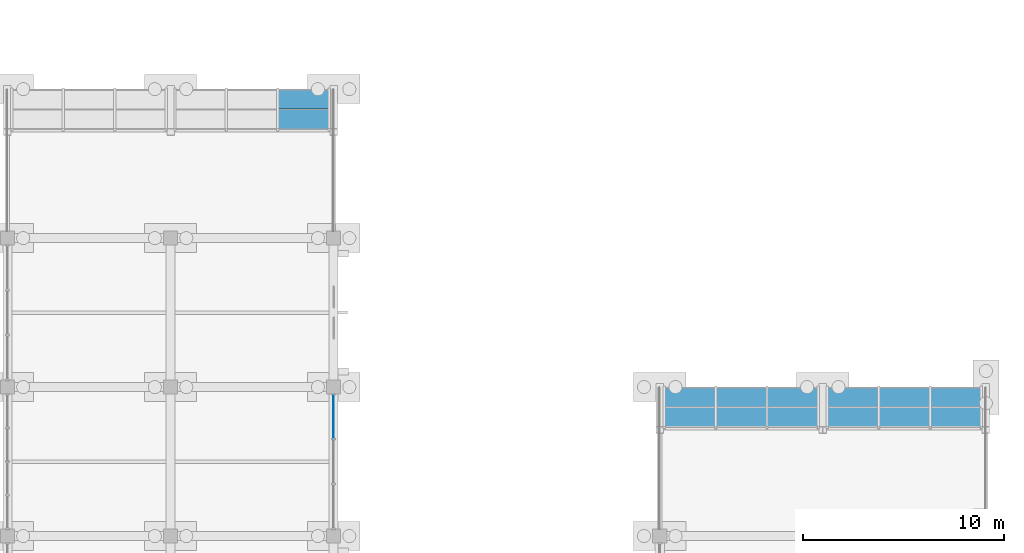
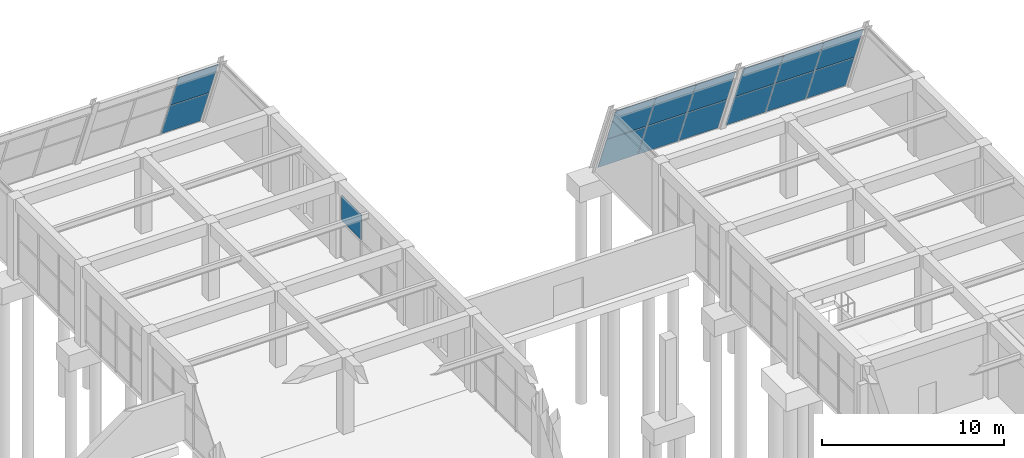
# One storey, part 120 of 140: 15 plates, 4 elements without a shape of their own.
"""IFC4 building model written with IfcOpenShell, lengths in metres."""

import ifcopenshell
import ifcopenshell.guid

model = None  # the IFC model being written
_history = None  # IfcOwnerHistory: only IFC2X3 demands one
_inside = {}  # id of a spatial element -> (the spatial element, [elements in it])
_under = {}  # id of a project, library or spatial element -> (it, [spatial elements below it])
_declared = {}  # id of a project -> (the project, [libraries it declares])
_typed = {}  # id of a type object -> (the type object, [elements of that type])
_made_of = {}  # id of a material, layer set ... -> (it, [elements and type objects made of it])


def new_model(schema):
    """Start an empty IFC model of exactly this schema.

    Asked for "IFC4X3", IfcOpenShell would pick the latest addendum, in which some entities
    have other attributes; the version numbers below select the first issue.
    IFC2X3 requires an IfcOwnerHistory on every rooted entity: one is made here for all.
    """
    global model, _history
    if schema == "IFC4X3":
        model = ifcopenshell.file(schema_version=(4, 3, 0, 0))
    else:
        model = ifcopenshell.file(schema=schema)
    _inside.clear()
    _under.clear()
    _declared.clear()
    _typed.clear()
    _made_of.clear()
    _history = None
    if model.schema == "IFC2X3":
        org = make("IfcOrganization", Name="unknown")
        user = make(
            "IfcPersonAndOrganization",
            ThePerson=make("IfcPerson", FamilyName="unknown"),
            TheOrganization=org,
        )
        app = make(
            "IfcApplication",
            ApplicationDeveloper=org,
            Version="unknown",
            ApplicationFullName="unknown",
            ApplicationIdentifier="unknown",
        )
        _history = make(
            "IfcOwnerHistory",
            OwningUser=user,
            OwningApplication=app,
            ChangeAction="ADDED",
            CreationDate=0,
        )
    return model


def make(cls, **values):
    """One entity of the class cls with the attributes given. An attribute that is None is left unset."""
    return model.create_entity(
        cls, **{name: value for name, value in values.items() if value is not None}
    )


def rooted(cls, **values):
    """An entity with a GlobalId (a new one), such as an element, a storey or a relation."""
    return make(cls, GlobalId=ifcopenshell.guid.new(), OwnerHistory=_history, **values)


def si_unit(unit_type, name, prefix=None):
    """IfcSIUnit, for example si_unit("LENGTHUNIT", "METRE", prefix="MILLI")."""
    return make("IfcSIUnit", UnitType=unit_type, Prefix=prefix, Name=name)


def assignment(units):
    """IfcUnitAssignment: the units of a project."""
    return None if units is None else make("IfcUnitAssignment", Units=units)


def point(xyz):
    """IfcCartesianPoint."""
    return None if xyz is None else make("IfcCartesianPoint", Coordinates=xyz)


def direction(xyz):
    """IfcDirection."""
    return None if xyz is None else make("IfcDirection", DirectionRatios=xyz)


def frame(location, z_axis=None, x_axis=None):
    """IfcAxis2Placement3D, a coordinate frame: its origin and axes. An axis left out is left unset."""
    return make(
        "IfcAxis2Placement3D",
        Location=point(location),
        Axis=direction(z_axis),
        RefDirection=direction(x_axis),
    )


def frame_2d(location, x_axis=None):
    """IfcAxis2Placement2D, a coordinate frame in the plane: its origin and x axis."""
    return make(
        "IfcAxis2Placement2D", Location=point(location), RefDirection=direction(x_axis)
    )


def origin():
    """The frame at (0, 0, 0) with its axes left unset."""
    return frame((0.0, 0.0, 0.0))


def origin_2d():
    """The frame at (0, 0) in the plane with its x axis left unset."""
    return frame_2d((0.0, 0.0))


def place(relative_to, where):
    """IfcLocalPlacement: puts the frame where relative to a parent placement (None: the world)."""
    return make(
        "IfcLocalPlacement", PlacementRelTo=relative_to, RelativePlacement=where
    )


def context(
    kind, dimensions, precision=None, world=None, true_north=None, identifier=None
):
    """IfcGeometricRepresentationContext, for example the 3D "Model" context."""
    return make(
        "IfcGeometricRepresentationContext",
        ContextIdentifier=identifier,
        ContextType=kind,
        CoordinateSpaceDimension=dimensions,
        Precision=precision,
        WorldCoordinateSystem=world,
        TrueNorth=true_north,
    )


def subcontext(parent, identifier, kind, view, scale=None):
    """IfcGeometricRepresentationSubContext, for example "Body" below "Model"."""
    return make(
        "IfcGeometricRepresentationSubContext",
        ContextIdentifier=identifier,
        ContextType=kind,
        ParentContext=parent,
        TargetScale=scale,
        TargetView=view,
    )


def project(units=None, contexts=None):
    """IfcProject with its units and contexts."""
    return rooted(
        "IfcProject",
        Name="project",
        RepresentationContexts=contexts,
        UnitsInContext=assignment(units),
    )


def spatial(cls, under=None, at=None, **own):
    """A site, building, storey or space (cls), placed at a placement, below another one or the project."""
    s = rooted(cls, ObjectPlacement=at, **own)
    if under is not None:
        _under.setdefault(under.id(), (under, []))[1].append(s)
    return s


def polyline(points):
    """IfcPolyline through the points."""
    return make("IfcPolyline", Points=[point(p) for p in points])


def profile(cls, at=None, kind="AREA", **sizes):
    """A parametric profile (cls). Its sizes go by their IFC names, for example OverallWidth=200.0."""
    return make(cls, ProfileType=kind, Position=at, **sizes)


def rectangle(**sizes):
    """IfcRectangleProfileDef."""
    return profile("IfcRectangleProfileDef", **sizes)


def outline(outer, holes=None, kind="AREA"):
    """IfcArbitraryClosedProfileDef: a profile drawn as a closed curve; with holes, ...WithVoids."""
    if holes is None:
        return make("IfcArbitraryClosedProfileDef", ProfileType=kind, OuterCurve=outer)
    return make(
        "IfcArbitraryProfileDefWithVoids",
        ProfileType=kind,
        OuterCurve=outer,
        InnerCurves=holes,
    )


def extrude(swept, where, along, depth):
    """IfcExtrudedAreaSolid: the profile swept, set in the frame where, extruded along a direction by depth."""
    return make(
        "IfcExtrudedAreaSolid",
        SweptArea=swept,
        Position=where,
        ExtrudedDirection=direction(along),
        Depth=depth,
    )


def shape(context_of_items, identifier, shape_type, items):
    """IfcShapeRepresentation: the items that make up one representation, for example the "Body"."""
    return make(
        "IfcShapeRepresentation",
        ContextOfItems=context_of_items,
        RepresentationIdentifier=identifier,
        RepresentationType=shape_type,
        Items=items,
    )


def material(Name=None, Category=None):
    """IfcMaterial."""
    return make("IfcMaterial", Name=Name, Category=Category)


def layer(
    of_material, thickness, ventilated=None, Name=None, Category=None, Priority=None
):
    """IfcMaterialLayer: one layer of a wall or slab, of a material (None: an air gap)."""
    return make(
        "IfcMaterialLayer",
        Material=of_material,
        LayerThickness=thickness,
        IsVentilated=ventilated,
        Name=Name,
        Category=Category,
        Priority=Priority,
    )


def layer_set(layers, Name=None):
    """IfcMaterialLayerSet."""
    return make("IfcMaterialLayerSet", MaterialLayers=layers, LayerSetName=Name)


def made_of(thing, what):
    """Note that an element or type object is made of a material, layer set ...; save() writes the relation."""
    if what is not None:
        _made_of.setdefault(what.id(), (what, []))[1].append(thing)
    return thing


def type_object(cls, material=None, **own):
    """A type object (cls), such as IfcWallType, which elements share."""
    return made_of(rooted(cls, **own), material)


def element(
    cls,
    number,
    at=None,
    inside=None,
    cuts=None,
    type_object=None,
    material=None,
    context=None,
    identifier="Body",
    shape_type=None,
    held_by="IfcProductDefinitionShape",
    body=None,
    shapes=None,
    **own,
):
    """One element of the class cls, such as IfcWall. Its Tag is "e" and its number.

    at: its placement. inside: the storey or other place that contains it. cuts: it is an
    opening in that element (IfcRelVoidsElement). A single representation is given by context,
    identifier, shape_type and body (its items); several are given by shapes. held_by: the class
    of the entity that holds the representations. save() writes the other relations.
    """
    e = rooted(cls, Tag="e%d" % number, ObjectPlacement=at, **own)
    if body is not None:
        shapes = [shape(context, identifier, shape_type, body)]
    if shapes is not None:
        e.Representation = make(held_by, Representations=shapes)
    if inside is not None:
        _inside.setdefault(inside.id(), (inside, []))[1].append(e)
    if cuts is not None:
        rooted(
            "IfcRelVoidsElement", RelatingBuildingElement=cuts, RelatedOpeningElement=e
        )
    if type_object is not None:
        _typed.setdefault(type_object.id(), (type_object, []))[1].append(e)
    return made_of(e, material)


def aggregate(whole, parts):
    """IfcRelAggregates: a whole, such as a stair, and the parts it consists of."""
    return rooted("IfcRelAggregates", RelatingObject=whole, RelatedObjects=parts)


def save(model, path):
    """Write the relations noted so far, then the file.

    IfcRelAggregates (storeys below a building ...), IfcRelContainedInSpatialStructure (elements
    in a storey), IfcRelDefinesByType, IfcRelAssociatesMaterial and IfcRelDeclares: one each for
    every whole, place, type object, material and project.
    """
    for whole, parts in _under.values():
        aggregate(whole, parts)
    for where, things in _inside.values():
        rooted(
            "IfcRelContainedInSpatialStructure",
            RelatedElements=things,
            RelatingStructure=where,
        )
    for kind, things in _typed.values():
        rooted("IfcRelDefinesByType", RelatedObjects=things, RelatingType=kind)
    for what, things in _made_of.values():
        rooted("IfcRelAssociatesMaterial", RelatedObjects=things, RelatingMaterial=what)
    for by, libraries in _declared.values():
        rooted("IfcRelDeclares", RelatingContext=by, RelatedDefinitions=libraries)
    model.write(path)


model = new_model("IFC4")

# Units and contexts
model_context = context("Model", 3, precision=1e-05, world=origin(), true_north=direction((0.0, 1.0)))
body_context = subcontext(model_context, "Body", "Model", "MODEL_VIEW")
ifc_project = project(units=[si_unit("LENGTHUNIT", "METRE"), si_unit("AREAUNIT", "SQUARE_METRE"), si_unit("VOLUMEUNIT", "CUBIC_METRE"), si_unit("PLANEANGLEUNIT", "RADIAN"), si_unit("MASSUNIT", "GRAM", prefix="KILO")], contexts=[model_context])

# Site, building, storey
site_placement = place(None, origin())
site = spatial("IfcSite", under=ifc_project, at=site_placement, CompositionType="ELEMENT")
building_placement = place(site_placement, origin())
building = spatial("IfcBuilding", under=site, at=building_placement, Name="Cimatlan Art Gallery", CompositionType="ELEMENT")
storey_placement = place(building_placement, origin())
storey = spatial("IfcBuildingStorey", under=building, at=storey_placement, Name="L00", CompositionType="ELEMENT", Elevation=0.0)

# Curtain wall, plate
ifc_material_1 = material(Name="Anodised bronze unitised curtain wall")
curtain_wall_type_1 = type_object("IfcCurtainWallType", Name="CW-V-06692X04305-B3", PredefinedType="NOTDEFINED", material=ifc_material_1)
curtain_wall_1_placement = place(storey_placement, origin())
curtain_wall_1 = element("IfcCurtainWall", 1, at=curtain_wall_1_placement, inside=storey, type_object=curtain_wall_type_1, Name="CW-L00-15-10-E", PredefinedType="NOTDEFINED")
ifc_material_2 = material(Name="Low-E insulated double glazing", Category="glass")
ifc_layer_1 = layer(ifc_material_2, 0.028076171875)
ifc_layer_set_1 = layer_set([ifc_layer_1], Name="Low-E insulated double glazing")
plate_type_1 = type_object("IfcPlateType", Name="PNL-2173X1710", PredefinedType="CURTAIN_PANEL", material=ifc_layer_set_1)
plate_1_placement = place(storey_placement, frame((131.60009765625, 81.630615234375, 2.472900390625), z_axis=(0.0, 0.0, 1.0), x_axis=(0.0, -1.0, 0.0)))
plate_1 = element("IfcPlate", 2, at=plate_1_placement, type_object=plate_type_1, Name="CW-L00-15-10-E-P12", PredefinedType="CURTAIN_PANEL", context=body_context, shape_type="SweptSolid", body=[
    extrude(rectangle(XDim=2.173095703125, YDim=0.028076171875, at=origin_2d()), origin(), (0.0, 0.0, 1.0), 1.7099609375),
])
aggregate(curtain_wall_1, [plate_1])

# Curtain wall, plates
ifc_material_3 = material(Name="Raked steel-and-bronze lancet curtain wall", Category="steel")
curtain_wall_type_2 = type_object("IfcCurtainWallType", Name="CW-RAK-07660X05503-B3", PredefinedType="NOTDEFINED", material=ifc_material_3)
curtain_wall_2_placement = place(storey_placement, origin())
curtain_wall_2 = element("IfcCurtainWall", 3, at=curtain_wall_2_placement, inside=storey, type_object=curtain_wall_type_2, Name="CW-PROW-L00-B4-15", PredefinedType="NOTDEFINED")
ifc_material_4 = material(Name="Low-E laminated skylight safety glazing", Category="glass")
ifc_layer_2 = layer(ifc_material_4, 0.031982421875)
ifc_layer_set_2 = layer_set([ifc_layer_2], Name="Low-E laminated skylight safety glazing")
plate_type_2 = type_object("IfcPlateType", Name="PNL-RAK-2513X2641", PredefinedType="CURTAIN_PANEL", material=ifc_layer_set_2)
plate_2_placement = place(storey_placement, frame((128.8466796875, 97.86962890625, 0.076904296875), z_axis=(0.0, 0.930420809623, 0.366492997234), x_axis=(1.0, 0.0, 0.0)))
plate_2 = element("IfcPlate", 4, at=plate_2_placement, type_object=plate_type_2, Name="CW-PROW-L00-B4-15-P31", PredefinedType="CURTAIN_PANEL", context=body_context, shape_type="SweptSolid", body=[
    extrude(outline(polyline([(0.0, 0.0), (2.51318359375, 0.0), (2.51318359375, -2.641298975510764), (0.0, -2.641298975510764), (0.0, 0.0)])), origin(), (0.0, 0.0, -1.0), 0.031982421875),
])
plate_3_placement = place(storey_placement, frame((128.8466796875, 96.881591796875, 2.585693359375), z_axis=(0.0, 0.930389288601, 0.366573009993), x_axis=(1.0, 0.0, 0.0)))
plate_3 = element("IfcPlate", 5, at=plate_3_placement, type_object=plate_type_2, Name="CW-PROW-L00-B4-15-P32", PredefinedType="CURTAIN_PANEL", context=body_context, shape_type="SweptSolid", body=[
    extrude(outline(polyline([(0.0, 0.0), (2.51318359375, 0.0), (2.51318359375, -2.641388461107515), (0.0, -2.641388461107515), (0.0, 0.0)])), origin(), (0.0, 0.0, -1.0), 0.031982421875),
])
aggregate(curtain_wall_2, [plate_2, plate_3])

curtain_wall_3_placement = place(storey_placement, origin())
curtain_wall_3 = element("IfcCurtainWall", 6, at=curtain_wall_3_placement, inside=storey, type_object=curtain_wall_type_2, Name="CW-PROW-L00-B5-18", PredefinedType="NOTDEFINED")
plate_4_placement = place(storey_placement, frame((148.040283203125, 83.069580078125, 0.076904296875), z_axis=(0.0, 0.930452325898, 0.366412976342), x_axis=(1.0, 0.0, 0.0)))
plate_4 = element("IfcPlate", 7, at=plate_4_placement, type_object=plate_type_2, Name="CW-PROW-L00-B5-18-P11", PredefinedType="CURTAIN_PANEL", context=body_context, shape_type="SweptSolid", body=[
    extrude(outline(polyline([(0.0, 0.0), (2.512939453125, 0.0), (2.512939453125, -2.6412095094493706), (0.0, -2.6412095094493706), (0.0, 0.0)])), origin(), (0.0, 0.0, -1.0), 0.031982421875),
])
plate_5_placement = place(storey_placement, frame((148.040283203125, 82.08154296875, 2.585693359375), z_axis=(0.0, 0.930389288601, 0.366573009993), x_axis=(1.0, 0.0, 0.0)))
plate_5 = element("IfcPlate", 8, at=plate_5_placement, type_object=plate_type_2, Name="CW-PROW-L00-B5-18-P12", PredefinedType="CURTAIN_PANEL", context=body_context, shape_type="SweptSolid", body=[
    extrude(outline(polyline([(0.0, 0.0), (2.512939453125, 0.0), (2.512939453125, -2.6413884611075145), (0.0, -2.6413884611075145), (0.0, 0.0)])), origin(), (0.0, 0.0, -1.0), 0.031982421875),
])
plate_6_placement = place(storey_placement, frame((150.593505859375, 83.069580078125, 0.076904296875), z_axis=(0.0, 0.930452325898, 0.366412976342), x_axis=(1.0, 0.0, 0.0)))
plate_6 = element("IfcPlate", 9, at=plate_6_placement, type_object=plate_type_2, Name="CW-PROW-L00-B5-18-P21", PredefinedType="CURTAIN_PANEL", context=body_context, shape_type="SweptSolid", body=[
    extrude(outline(polyline([(0.0, 0.0), (2.512939453125, 0.0), (2.512939453125, -2.6412095094493706), (0.0, -2.6412095094493706), (0.0, 0.0)])), origin(), (0.0, 0.0, -1.0), 0.031982421875),
])
plate_7_placement = place(storey_placement, frame((150.593505859375, 82.08154296875, 2.585693359375), z_axis=(0.0, 0.930389288601, 0.366573009993), x_axis=(1.0, 0.0, 0.0)))
plate_7 = element("IfcPlate", 10, at=plate_7_placement, type_object=plate_type_2, Name="CW-PROW-L00-B5-18-P22", PredefinedType="CURTAIN_PANEL", context=body_context, shape_type="SweptSolid", body=[
    extrude(outline(polyline([(0.0, 0.0), (2.512939453125, 0.0), (2.512939453125, -2.6413884611075145), (0.0, -2.6413884611075145), (0.0, 0.0)])), origin(), (0.0, 0.0, -1.0), 0.031982421875),
])
plate_8_placement = place(storey_placement, frame((153.146728515625, 83.069580078125, 0.076904296875), z_axis=(0.0, 0.930452325898, 0.366412976342), x_axis=(1.0, 0.0, 0.0)))
plate_8 = element("IfcPlate", 11, at=plate_8_placement, type_object=plate_type_2, Name="CW-PROW-L00-B5-18-P31", PredefinedType="CURTAIN_PANEL", context=body_context, shape_type="SweptSolid", body=[
    extrude(outline(polyline([(0.0, 0.0), (2.51318359375, 0.0), (2.51318359375, -2.6412095094493706), (0.0, -2.6412095094493706), (0.0, 0.0)])), origin(), (0.0, 0.0, -1.0), 0.031982421875),
])
plate_9_placement = place(storey_placement, frame((153.146728515625, 82.08154296875, 2.585693359375), z_axis=(0.0, 0.930389288601, 0.366573009993), x_axis=(1.0, 0.0, 0.0)))
plate_9 = element("IfcPlate", 12, at=plate_9_placement, type_object=plate_type_2, Name="CW-PROW-L00-B5-18-P32", PredefinedType="CURTAIN_PANEL", context=body_context, shape_type="SweptSolid", body=[
    extrude(outline(polyline([(0.0, 0.0), (2.51318359375, 0.0), (2.51318359375, -2.641388461107515), (0.0, -2.641388461107515), (0.0, 0.0)])), origin(), (0.0, 0.0, -1.0), 0.031982421875),
])
aggregate(curtain_wall_3, [plate_4, plate_5, plate_6, plate_7, plate_8, plate_9])

curtain_wall_4_placement = place(storey_placement, origin())
curtain_wall_4 = element("IfcCurtainWall", 13, at=curtain_wall_4_placement, inside=storey, type_object=curtain_wall_type_2, Name="CW-PROW-L00-B5-19", PredefinedType="NOTDEFINED")
plate_10_placement = place(storey_placement, frame((156.14013671875, 83.069580078125, 0.076904296875), z_axis=(0.0, 0.930452325898, 0.366412976342), x_axis=(1.0, 0.0, 0.0)))
plate_10 = element("IfcPlate", 14, at=plate_10_placement, type_object=plate_type_2, Name="CW-PROW-L00-B5-19-P11", PredefinedType="CURTAIN_PANEL", context=body_context, shape_type="SweptSolid", body=[
    extrude(outline(polyline([(0.0, 0.0), (2.51318359375, 0.0), (2.51318359375, -2.6412095094493706), (0.0, -2.6412095094493706), (0.0, 0.0)])), origin(), (0.0, 0.0, -1.0), 0.031982421875),
])
plate_11_placement = place(storey_placement, frame((156.14013671875, 82.08154296875, 2.585693359375), z_axis=(0.0, 0.930389288601, 0.366573009993), x_axis=(1.0, 0.0, 0.0)))
plate_11 = element("IfcPlate", 15, at=plate_11_placement, type_object=plate_type_2, Name="CW-PROW-L00-B5-19-P12", PredefinedType="CURTAIN_PANEL", context=body_context, shape_type="SweptSolid", body=[
    extrude(outline(polyline([(0.0, 0.0), (2.51318359375, 0.0), (2.51318359375, -2.641388461107515), (0.0, -2.641388461107515), (0.0, 0.0)])), origin(), (0.0, 0.0, -1.0), 0.031982421875),
])
plate_12_placement = place(storey_placement, frame((158.693603515625, 83.069580078125, 0.076904296875), z_axis=(0.0, 0.930452325898, 0.366412976342), x_axis=(1.0, 0.0, 0.0)))
plate_12 = element("IfcPlate", 16, at=plate_12_placement, type_object=plate_type_2, Name="CW-PROW-L00-B5-19-P21", PredefinedType="CURTAIN_PANEL", context=body_context, shape_type="SweptSolid", body=[
    extrude(outline(polyline([(0.0, 0.0), (2.512939453125, 0.0), (2.512939453125, -2.6412095094493706), (0.0, -2.6412095094493706), (0.0, 0.0)])), origin(), (0.0, 0.0, -1.0), 0.031982421875),
])
plate_13_placement = place(storey_placement, frame((158.693603515625, 82.08154296875, 2.585693359375), z_axis=(0.0, 0.930389288601, 0.366573009993), x_axis=(1.0, 0.0, 0.0)))
plate_13 = element("IfcPlate", 17, at=plate_13_placement, type_object=plate_type_2, Name="CW-PROW-L00-B5-19-P22", PredefinedType="CURTAIN_PANEL", context=body_context, shape_type="SweptSolid", body=[
    extrude(outline(polyline([(0.0, 0.0), (2.512939453125, 0.0), (2.512939453125, -2.6413884611075145), (0.0, -2.6413884611075145), (0.0, 0.0)])), origin(), (0.0, 0.0, -1.0), 0.031982421875),
])
plate_14_placement = place(storey_placement, frame((161.246826171875, 83.069580078125, 0.076904296875), z_axis=(0.0, 0.930452325898, 0.366412976342), x_axis=(1.0, 0.0, 0.0)))
plate_14 = element("IfcPlate", 18, at=plate_14_placement, type_object=plate_type_2, Name="CW-PROW-L00-B5-19-P31", PredefinedType="CURTAIN_PANEL", context=body_context, shape_type="SweptSolid", body=[
    extrude(outline(polyline([(0.0, 0.0), (2.512939453125, 0.0), (2.512939453125, -2.6412095094493706), (0.0, -2.6412095094493706), (0.0, 0.0)])), origin(), (0.0, 0.0, -1.0), 0.031982421875),
])
plate_15_placement = place(storey_placement, frame((161.246826171875, 82.08154296875, 2.585693359375), z_axis=(0.0, 0.930389288601, 0.366573009993), x_axis=(1.0, 0.0, 0.0)))
plate_15 = element("IfcPlate", 19, at=plate_15_placement, type_object=plate_type_2, Name="CW-PROW-L00-B5-19-P32", PredefinedType="CURTAIN_PANEL", context=body_context, shape_type="SweptSolid", body=[
    extrude(outline(polyline([(0.0, 0.0), (2.512939453125, 0.0), (2.512939453125, -2.6413884611075145), (0.0, -2.6413884611075145), (0.0, 0.0)])), origin(), (0.0, 0.0, -1.0), 0.031982421875),
])
aggregate(curtain_wall_4, [plate_10, plate_11, plate_12, plate_13, plate_14, plate_15])

save(model, "model.ifc")
